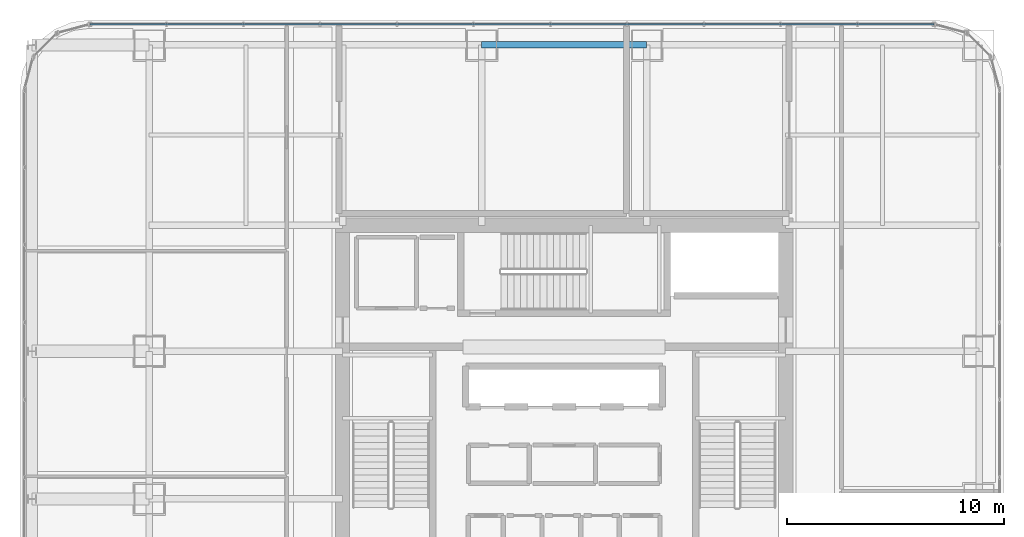
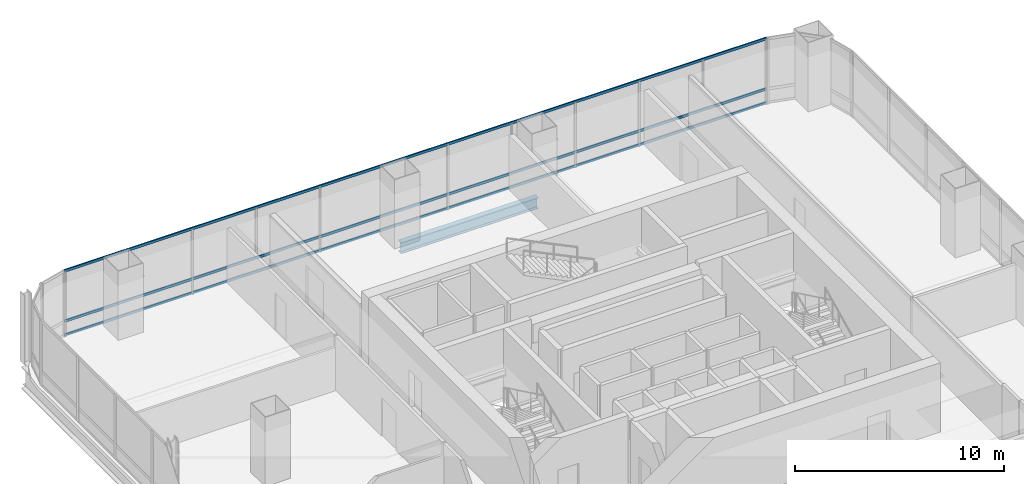
# One storey, part 23 of 36: 3 members, 1 beam, 1 element without a shape of its own.
"""IFC4 building model written with IfcOpenShell, lengths in metres."""

from ifc_helpers import new_model, si_unit, direction, frame, origin, origin_2d, place, context, subcontext, project, spatial, hollow_rectangle, i_section, extrude, material, material_profile, profile_set, type_object, element, aggregate, save


model = new_model("IFC4")

# Units and contexts
model_context = context("Model", 3, precision=1e-05, world=origin(), true_north=direction((0.0, 1.0)))
body_context = subcontext(model_context, "Body", "Model", "MODEL_VIEW")
ifc_project = project(units=[si_unit("LENGTHUNIT", "METRE"), si_unit("AREAUNIT", "SQUARE_METRE"), si_unit("VOLUMEUNIT", "CUBIC_METRE"), si_unit("PLANEANGLEUNIT", "RADIAN"), si_unit("MASSUNIT", "GRAM", prefix="KILO")], contexts=[model_context])

# Site, building, storey
site_placement = place(None, origin())
site = spatial("IfcSite", under=ifc_project, at=site_placement, CompositionType="ELEMENT")
building_placement = place(site_placement, origin())
building = spatial("IfcBuilding", under=site, at=building_placement, Name="Punatoya Terracotta Tower", CompositionType="ELEMENT")
storey_placement = place(building_placement, frame((0.0, 0.0, 196.5)))
storey = spatial("IfcBuildingStorey", under=building, at=storey_placement, Name="L46", CompositionType="ELEMENT", Elevation=196.5)

# Beam
ifc_material_1 = material(Name="Steel S355", Category="steel")
ifc_material_profile_1 = material_profile(ifc_material_1, i_section(OverallWidth=0.300048828125, OverallDepth=0.64990234375, WebThickness=0.01611328125, FlangeThickness=0.031005859375, FilletRadius=0.01806640625, at=origin_2d()))
ifc_profile_set_1 = profile_set([ifc_material_profile_1], Name="Steel S355")
beam_type = type_object("IfcBeamType", Name="BM-PRI-650", PredefinedType="BEAM", material=ifc_profile_set_1)
beam_placement = place(storey_placement, frame((-3.800048828125, 17.5, -0.544921875), z_axis=(1.0, 0.0, 0.0), x_axis=(0.0, 1.0, 0.0)))
element("IfcBeam", 1, at=beam_placement, inside=storey, type_object=beam_type, Name="BM-L46-RG-N2", PredefinedType="BEAM", context=body_context, shape_type="SweptSolid", body=[
    extrude(i_section(OverallWidth=0.300048828125, OverallDepth=0.64990234375, WebThickness=0.01611328125, FlangeThickness=0.031005859375, FilletRadius=0.01806640625, at=origin_2d()), origin(), (0.0, 0.0, 1.0), 7.60009765625),
])

# Curtain wall, members
ifc_material_2 = material(Name="Aluminium 6063-T6 + Double Low-E Glass", Category="aluminium")
curtain_wall_type = type_object("IfcCurtainWallType", Name="CW-M2", PredefinedType="NOTDEFINED", material=ifc_material_2)
curtain_wall_placement = place(storey_placement, origin())
curtain_wall = element("IfcCurtainWall", 2, at=curtain_wall_placement, inside=storey, type_object=curtain_wall_type, Name="L46 Curtain Wall CW-L46-N09-1", PredefinedType="NOTDEFINED")
ifc_material_3 = material(Name="Aluminium 6063-T6", Category="aluminium")
ifc_material_profile_2 = material_profile(ifc_material_3, hollow_rectangle(XDim=0.068115234375, YDim=0.14990234375, WallThickness=0.00390625, at=origin_2d()))
ifc_profile_set_2 = profile_set([ifc_material_profile_2], Name="Aluminium 6063-T6")
member_type = type_object("IfcMemberType", Name="CW-TRN-TYP", PredefinedType="USERDEFINED", material=ifc_profile_set_2)
member_1_placement = place(storey_placement, frame((17.036865234375, 18.449951171875, 0.0400390625), z_axis=(-1.0, 0.0, 0.0), x_axis=(0.0, -1.0, 0.0)))
member_1 = element("IfcMember", 3, at=member_1_placement, type_object=member_type, Name="CW-L46-N09-1 Transom 1", ObjectType="TRANSOM", PredefinedType="USERDEFINED", context=body_context, shape_type="SweptSolid", body=[
    extrude(hollow_rectangle(XDim=0.068115234375, YDim=0.14990234375, WallThickness=0.00390625, at=origin_2d()), origin(), (0.0, 0.0, 1.0), 38.873779296875),
])
member_2_placement = place(storey_placement, frame((17.036865234375, 18.449951171875, 0.85009765625), z_axis=(-1.0, 0.0, 0.0), x_axis=(0.0, -1.0, 0.0)))
member_2 = element("IfcMember", 4, at=member_2_placement, type_object=member_type, Name="CW-L46-N09-1 Transom 2", ObjectType="TRANSOM", PredefinedType="USERDEFINED", context=body_context, shape_type="SweptSolid", body=[
    extrude(hollow_rectangle(XDim=0.068115234375, YDim=0.14990234375, WallThickness=0.00390625, at=origin_2d()), origin(), (0.0, 0.0, 1.0), 38.873779296875),
])
member_3_placement = place(storey_placement, frame((17.036865234375, 18.449951171875, 3.7900390625), z_axis=(-1.0, 0.0, 0.0), x_axis=(0.0, -1.0, 0.0)))
member_3 = element("IfcMember", 5, at=member_3_placement, type_object=member_type, Name="CW-L46-N09-1 Transom 3", ObjectType="TRANSOM", PredefinedType="USERDEFINED", context=body_context, shape_type="SweptSolid", body=[
    extrude(hollow_rectangle(XDim=0.068115234375, YDim=0.14990234375, WallThickness=0.00390625, at=origin_2d()), origin(), (0.0, 0.0, 1.0), 38.873779296875),
])
aggregate(curtain_wall, [member_1, member_2, member_3])

save(model, "model.ifc")
